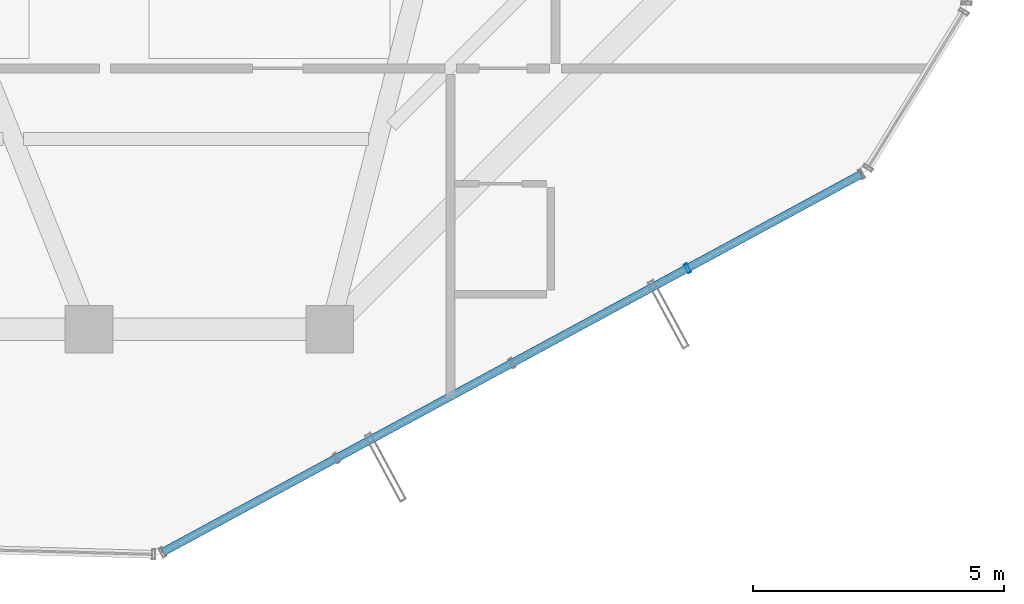
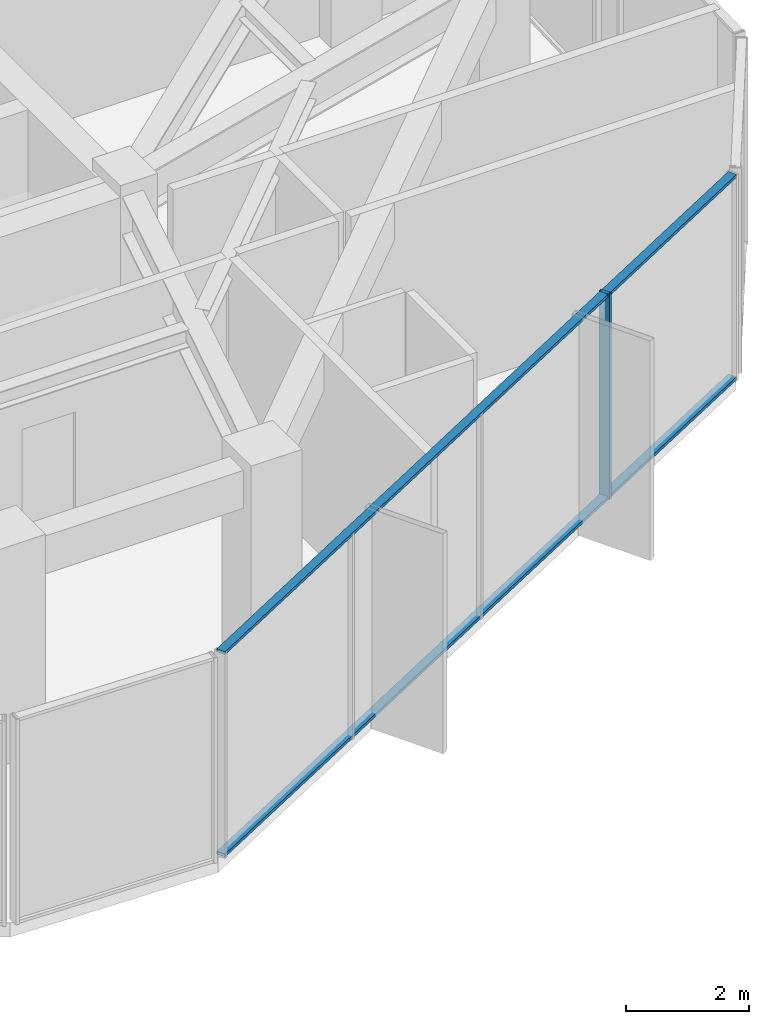
# One storey, part 6 of 22: 3 members, 1 element without a shape of its own.
"""IFC4 building model written with IfcOpenShell, lengths in metres."""

from ifc_helpers import new_model, si_unit, direction, frame, origin, origin_2d, place, context, subcontext, project, spatial, hollow_rectangle, extrude, source, transform, mapped, material, layer, layer_set, material_profile, profile_set, type_object, element, aggregate, save


model = new_model("IFC4")

# Units and contexts
model_context = context("Model", 3, precision=1e-05, world=origin(), true_north=direction((0.0, 1.0)))
body_context = subcontext(model_context, "Body", "Model", "MODEL_VIEW")
ifc_project = project(units=[si_unit("LENGTHUNIT", "METRE"), si_unit("AREAUNIT", "SQUARE_METRE"), si_unit("VOLUMEUNIT", "CUBIC_METRE"), si_unit("PLANEANGLEUNIT", "RADIAN"), si_unit("MASSUNIT", "GRAM", prefix="KILO")], contexts=[model_context])

# Site, building, storey
site_placement = place(None, origin())
site = spatial("IfcSite", under=ifc_project, at=site_placement, CompositionType="ELEMENT")
building_placement = place(site_placement, origin())
building = spatial("IfcBuilding", under=site, at=building_placement, Name="Veraguas Prism Commons", CompositionType="ELEMENT")
storey_placement = place(building_placement, frame((0.0, 0.0, 211.35009765625)))
storey = spatial("IfcBuildingStorey", under=building, at=storey_placement, Name="L60", CompositionType="ELEMENT", Elevation=211.35009765625)

# Curtain wall, members
ifc_material = material(Name="Anodised aluminium EN AW-6063 T6", Category="aluminium")
ifc_layer = layer(ifc_material, 0.199951171875, Name="Sky Lobby and Pool Acoustic Curtain Wall", Category="aluminium")
ifc_layer_set = layer_set([ifc_layer], Name="Anodised aluminium EN AW-6063 T6")
curtain_wall_type = type_object("IfcCurtainWallType", Name="Sky Lobby and Pool Acoustic Curtain Wall", PredefinedType="NOTDEFINED", material=ifc_layer_set)
curtain_wall_placement = place(storey_placement, origin())
curtain_wall = element("IfcCurtainWall", 1, at=curtain_wall_placement, inside=storey, type_object=curtain_wall_type, Name="Tower Facade Curtain Wall L60-F5", PredefinedType="NOTDEFINED")
ifc_material_profile_1 = material_profile(ifc_material, hollow_rectangle(XDim=0.06005859375, YDim=0.159912109375, WallThickness=0.0029296875, at=origin_2d()), Name="AL60X160X3")
ifc_profile_set_1 = profile_set([ifc_material_profile_1], Name="Anodised aluminium EN AW-6063 T6")
member_type_1 = type_object("IfcMemberType", Name="Curtain Wall Transom Heavy AL 60x160x3", PredefinedType="USERDEFINED", material=ifc_profile_set_1)
shared_shape_1 = source(origin(), body_context, "Body", "SweptSolid", [
    extrude(hollow_rectangle(XDim=0.06005859375, YDim=0.159912109375, WallThickness=0.0029296875, at=origin_2d()), origin(), (0.0, 0.0, 1.0), 15.83740234375),
])
member_1_placement = place(storey_placement, frame((25.464599609375, 4.655517578125, 0.02978515625), z_axis=(0.879486645967, 0.475923564835, 0.0), x_axis=(0.0, 0.0, 1.0)))
member_1 = element("IfcMember", 2, at=member_1_placement, type_object=member_type_1, Name="CW-SKY Transom 1", ObjectType="TRANSOM", PredefinedType="USERDEFINED", context=body_context, shape_type="MappedRepresentation", body=[
    mapped(shared_shape_1, transform((0.0, 0.0, 0.0), scale=1.0)),
])
member_2_placement = place(storey_placement, frame((25.464599609375, 4.655517578125, 4.034912109375), z_axis=(0.879486645967, 0.475923564835, 0.0), x_axis=(0.0, 0.0, 1.0)))
member_2 = element("IfcMember", 3, at=member_2_placement, type_object=member_type_1, Name="CW-SKY Transom 2", ObjectType="TRANSOM", PredefinedType="USERDEFINED", context=body_context, shape_type="MappedRepresentation", body=[
    mapped(shared_shape_1, transform((0.0, 0.0, 0.0), scale=1.0)),
])
ifc_material_profile_2 = material_profile(ifc_material, hollow_rectangle(XDim=0.06494140625, YDim=0.199951171875, WallThickness=0.00390625, at=origin_2d()), Name="AL65X200X4")
ifc_profile_set_2 = profile_set([ifc_material_profile_2], Name="Anodised aluminium EN AW-6063 T6")
member_type_2 = type_object("IfcMemberType", Name="Curtain Wall Mullion Heavy AL 65x200x4", PredefinedType="MULLION", material=ifc_profile_set_2)
shared_shape_2 = source(origin(), body_context, "Body", "SweptSolid", [
    extrude(hollow_rectangle(XDim=0.06494140625, YDim=0.199951171875, WallThickness=0.00390625, at=origin_2d()), origin(), (0.0, 0.0, 1.0), 4.06494140625),
])
member_3_placement = place(storey_placement, frame((35.92529296875, 10.31640625, 0.0), z_axis=(0.0, 0.0, 1.0), x_axis=(0.879484156418, 0.475928165389, 0.0)))
member_3 = element("IfcMember", 4, at=member_3_placement, type_object=member_type_2, Name="CW-SKY Mullion 4", PredefinedType="MULLION", context=body_context, shape_type="MappedRepresentation", body=[
    mapped(shared_shape_2, transform((0.0, 0.0, 0.0), scale=1.0)),
])
aggregate(curtain_wall, [member_3, member_1, member_2])

save(model, "model.ifc")
